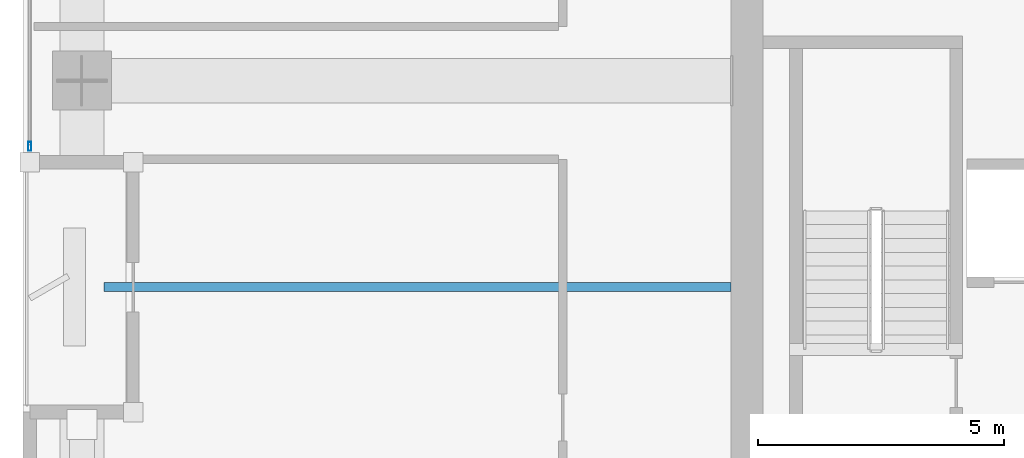
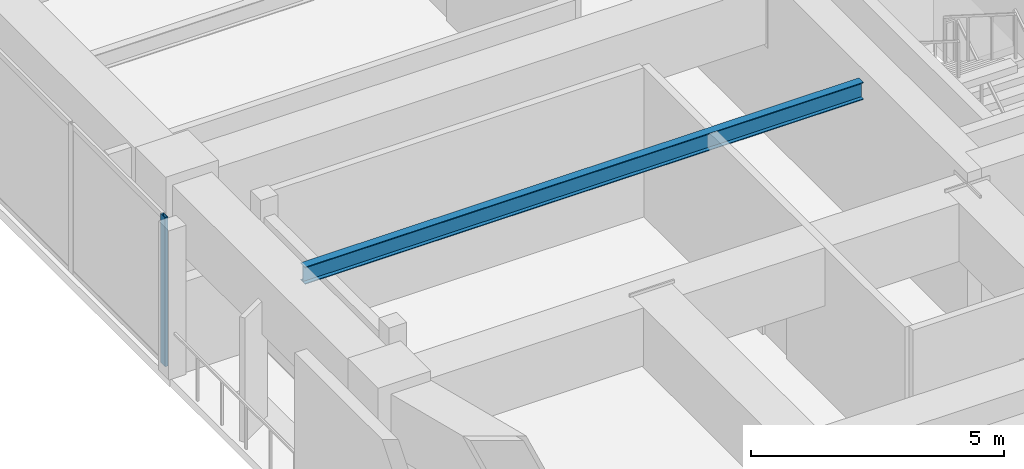
# One storey, part 2 of 30: 1 beam, 1 member, 1 element without a shape of its own.
"""IFC4 building model written with IfcOpenShell, lengths in metres."""

from ifc_helpers import new_model, si_unit, direction, frame, origin, origin_2d, place, context, subcontext, project, spatial, hollow_rectangle, i_section, extrude, material, layer, layer_set, material_profile, profile_set, type_object, element, aggregate, save


model = new_model("IFC4")

# Units and contexts
model_context = context("Model", 3, precision=1e-05, world=origin(), true_north=direction((0.0, 1.0)))
body_context = subcontext(model_context, "Body", "Model", "MODEL_VIEW")
ifc_project = project(units=[si_unit("LENGTHUNIT", "METRE"), si_unit("AREAUNIT", "SQUARE_METRE"), si_unit("VOLUMEUNIT", "CUBIC_METRE"), si_unit("PLANEANGLEUNIT", "RADIAN"), si_unit("MASSUNIT", "GRAM", prefix="KILO")], contexts=[model_context])

# Site, building, storey
site_placement = place(None, origin())
site = spatial("IfcSite", under=ifc_project, at=site_placement, CompositionType="ELEMENT")
building_placement = place(site_placement, origin())
building = spatial("IfcBuilding", under=site, at=building_placement, Name="Kiyonajd Concourse Tower", CompositionType="ELEMENT")
storey_placement = place(building_placement, frame((0.0, 0.0, 205.800048828125)))
storey = spatial("IfcBuildingStorey", under=building, at=storey_placement, Name="L52", CompositionType="ELEMENT", Elevation=205.800048828125)

# Beam
ifc_material_1 = material(Name="Steel ASTM A992 Grade 50", Category="steel")
ifc_material_profile_1 = material_profile(ifc_material_1, i_section(OverallWidth=0.180908203125, OverallDepth=0.4169921875, WebThickness=0.010986328125, FlangeThickness=0.018310546875, at=origin_2d()), Name="W410X85")
ifc_profile_set_1 = profile_set([ifc_material_profile_1], Name="Steel ASTM A992 Grade 50")
beam_type = type_object("IfcBeamType", Name="BM-JST-410", PredefinedType="JOIST", material=ifc_profile_set_1)
beam_placement = place(storey_placement, frame((19.64990234375, 31.800048828125, 3.391357421875), z_axis=(1.0, 0.0, 0.0), x_axis=(0.0, 1.0, 0.0)))
element("IfcBeam", 1, at=beam_placement, inside=storey, type_object=beam_type, Name="L52 West Secondary Floor Joist", PredefinedType="JOIST", context=body_context, shape_type="SweptSolid", body=[
    extrude(i_section(OverallWidth=0.180908203125, OverallDepth=0.4169921875, WebThickness=0.010986328125, FlangeThickness=0.018310546875, at=origin_2d()), origin(), (0.0, 0.0, 1.0), 12.75),
])

# Curtain wall, member
ifc_material_2 = material(Name="Thermally Broken Anodised Aluminium", Category="aluminium")
ifc_layer = layer(ifc_material_2, 0.179931640625)
ifc_layer_set = layer_set([ifc_layer], Name="Thermally Broken Anodised Aluminium")
curtain_wall_type = type_object("IfcCurtainWallType", Name="CW-SYS-03", PredefinedType="NOTDEFINED", material=ifc_layer_set)
curtain_wall_placement = place(storey_placement, origin())
curtain_wall = element("IfcCurtainWall", 2, at=curtain_wall_placement, inside=storey, type_object=curtain_wall_type, Name="L52 Unitised Curtain Wall CW3", PredefinedType="NOTDEFINED")
ifc_material_profile_2 = material_profile(ifc_material_2, hollow_rectangle(XDim=0.06494140625, YDim=0.179931640625, WallThickness=0.00390625, at=origin_2d()), Name="MULL-65x180")
ifc_profile_set_2 = profile_set([ifc_material_profile_2], Name="Thermally Broken Anodised Aluminium")
member_type = type_object("IfcMemberType", Name="MB-CW-MULL1", PredefinedType="MULLION", material=ifc_profile_set_2)
member_placement = place(storey_placement, frame((18.139892578125, 34.66259765625, 0.0), z_axis=(0.0, 0.0, 1.0), x_axis=(-1.0, 0.0, 0.0)))
member = element("IfcMember", 3, at=member_placement, type_object=member_type, Name="CW3 mullion 1", PredefinedType="MULLION", context=body_context, shape_type="SweptSolid", body=[
    extrude(hollow_rectangle(XDim=0.06494140625, YDim=0.179931640625, WallThickness=0.00390625, at=origin_2d()), origin(), (0.0, 0.0, 1.0), 3.599853515625),
])
aggregate(curtain_wall, [member])

save(model, "model.ifc")
